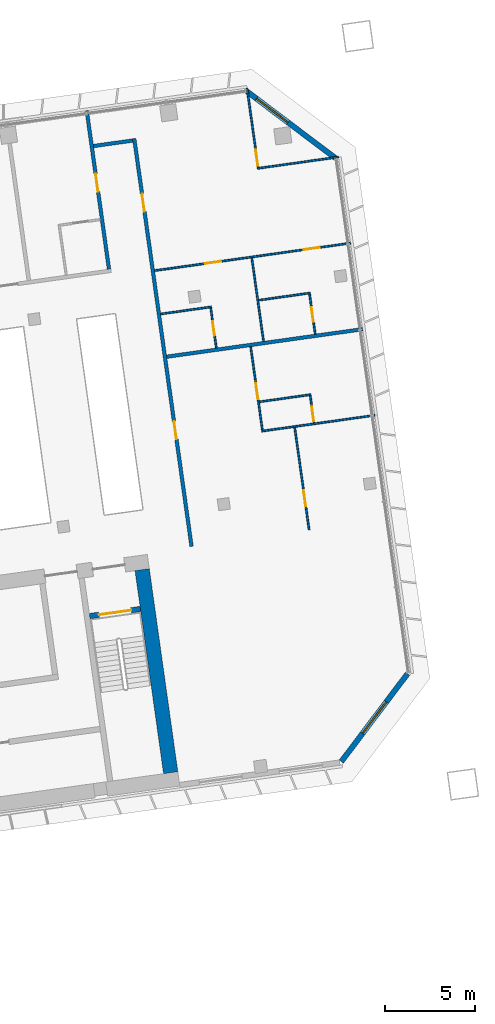
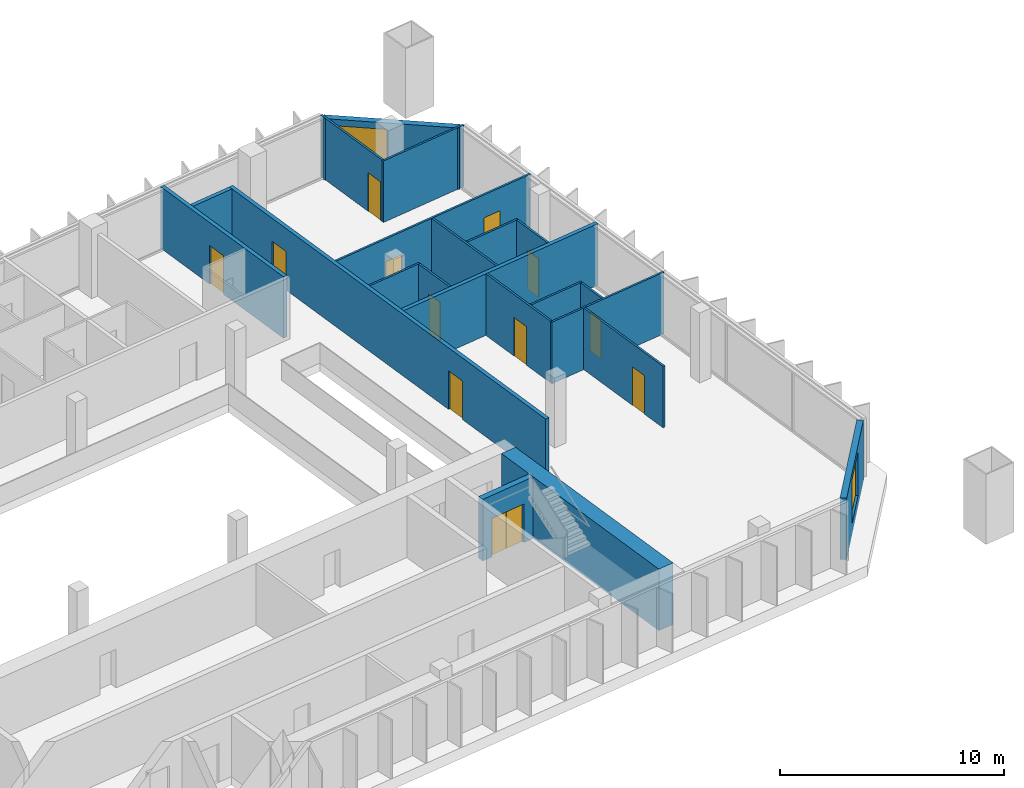
# One storey, part 23 of 27: 21 walls, 12 doors, 2 windows, 14 openings.
"""IFC4 building model written with IfcOpenShell, lengths in metres."""

from ifc_helpers import new_model, si_unit, direction, frame, frame_2d, origin, place, context, subcontext, project, spatial, rectangle, extrude, material, layer, layer_set, type_object, element, fill, save


model = new_model("IFC4")

# Units and contexts
model_context = context("Model", 3, precision=1e-05, world=origin(), true_north=direction((0.0, 1.0)))
body_context = subcontext(model_context, "Body", "Model", "MODEL_VIEW")
ifc_project = project(units=[si_unit("LENGTHUNIT", "METRE"), si_unit("AREAUNIT", "SQUARE_METRE"), si_unit("VOLUMEUNIT", "CUBIC_METRE"), si_unit("PLANEANGLEUNIT", "RADIAN"), si_unit("MASSUNIT", "GRAM", prefix="KILO")], contexts=[model_context])

# Site, building, storey
site_placement = place(None, origin())
site = spatial("IfcSite", under=ifc_project, at=site_placement, CompositionType="ELEMENT")
building_placement = place(site_placement, origin())
building = spatial("IfcBuilding", under=site, at=building_placement, Name="Mirante Cascada Hotel Towers", CompositionType="ELEMENT")
storey_placement = place(building_placement, frame((0.0, 0.0, 117.7)))
storey = spatial("IfcBuildingStorey", under=building, at=storey_placement, Name="L26", CompositionType="ELEMENT", Elevation=117.7)

# Walls
ifc_material_1 = material(Name="Fire-rated plasterboard on metal studs")
ifc_layer_1 = layer(ifc_material_1, 0.2)
ifc_layer_set_1 = layer_set([ifc_layer_1], Name="Compartment wall 200 EI 120")
wall_type_1 = type_object("IfcWallType", Name="Compartment wall 200 EI 120", PredefinedType="PARTITIONING", material=ifc_layer_set_1)
wall_1_placement = place(storey_placement, frame((89.7337, 11.2758, 0.0), z_axis=(0.0, 0.0, 1.0), x_axis=(0.990268, 0.1391733, 0.0)))
element("IfcWall", 1, at=wall_1_placement, inside=storey, type_object=wall_type_1, Name="Wall 2-L26-09", PredefinedType="PARTITIONING", context=body_context, shape_type="SweptSolid", body=[
    extrude(rectangle(XDim=11.0, YDim=0.2, at=frame_2d((5.5, 0.0))), origin(), (0.0, 0.0, 1.0), 3.35),
])
wall_2_placement = place(storey_placement, frame((87.8424, 23.2963, 0.0), z_axis=(0.0, 0.0, 1.0), x_axis=(-0.990267, -0.139181, 0.0)))
element("IfcWall", 2, at=wall_2_placement, inside=storey, type_object=wall_type_1, Name="Wall 2-L26-28", PredefinedType="PARTITIONING", context=body_context, shape_type="SweptSolid", body=[
    extrude(rectangle(XDim=2.2, YDim=0.2, at=frame_2d((1.1, 0.0))), origin(), (0.0, 0.0, 1.0), 3.35),
])

# Wall, opening, door
wall_3_placement = place(storey_placement, frame((86.525, 16.1433, 0.0), z_axis=(0.0, 0.0, 1.0), x_axis=(-0.1391684, 0.9902687, 0.0)))
wall_3 = element("IfcWall", 3, at=wall_3_placement, inside=storey, type_object=wall_type_1, Name="Wall 2-L26-55", PredefinedType="PARTITIONING", context=body_context, shape_type="SweptSolid", body=[
    extrude(rectangle(XDim=8.9, YDim=0.2, at=frame_2d((4.45, 0.0))), origin(), (0.0, 0.0, 1.0), 3.35),
])
opening_1_placement = place(wall_3_placement, frame((4.35, 0.0, 0.0)))
opening_1 = element("IfcOpeningElement", 4, at=opening_1_placement, cuts=wall_3, Name="Opening D2-L26-34", PredefinedType="OPENING", context=body_context, shape_type="SweptSolid", body=[
    extrude(rectangle(XDim=1.0, YDim=2.1, at=frame_2d((0.5, 1.05))), frame((0.0, 0.1, 0.0), z_axis=(0.0, -1.0, 0.0), x_axis=(1.0, 0.0, 0.0)), (0.0, 0.0, 1.0), 0.2),
])
ifc_material_2 = material(Name="Fire-rated timber door leaf", Category="wood")
door_type_1 = type_object("IfcDoorType", Name="Entrance door DG1 1000x2100 EI 60", OperationType="SINGLE_SWING_LEFT", PredefinedType="DOOR", material=ifc_material_2)
door_1_placement = place(opening_1_placement, origin())
door_1 = element("IfcDoor", 5, at=door_1_placement, inside=storey, type_object=door_type_1, Name="Door D2-L26-34", OperationType="SINGLE_SWING_LEFT", OverallHeight=2.1, OverallWidth=1.0, PredefinedType="DOOR", context=body_context, shape_type="SweptSolid", body=[
    extrude(rectangle(XDim=1.0, YDim=2.1, at=frame_2d((0.5, 1.05))), frame((0.0, 0.025, 0.0), z_axis=(0.0, -1.0, 0.0), x_axis=(1.0, 0.0, 0.0)), (0.0, 0.0, 1.0), 0.05),
])
fill(opening_1, door_1)

# Wall, openings, doors
wall_4_placement = place(storey_placement, frame((87.9275, 23.4092, 0.0), z_axis=(0.0, 0.0, 1.0), x_axis=(0.1391706, -0.9902684, 0.0)))
wall_4 = element("IfcWall", 6, at=wall_4_placement, inside=storey, type_object=wall_type_1, Name="Wall 2-L26-56", PredefinedType="PARTITIONING", context=body_context, shape_type="SweptSolid", body=[
    extrude(rectangle(XDim=22.9, YDim=0.2, at=frame_2d((11.45, 0.0))), origin(), (0.0, 0.0, 1.0), 3.35),
])
opening_2_placement = place(wall_4_placement, frame((15.8834, 0.0, 0.0)))
opening_2 = element("IfcOpeningElement", 7, at=opening_2_placement, cuts=wall_4, Name="Opening D2-L26-35", PredefinedType="OPENING", context=body_context, shape_type="SweptSolid", body=[
    extrude(rectangle(XDim=1.0, YDim=2.1, at=frame_2d((0.5, 1.05))), frame((0.0, 0.1, 0.0), z_axis=(0.0, -1.0, 0.0), x_axis=(1.0, 0.0, 0.0)), (0.0, 0.0, 1.0), 0.2),
])
opening_3_placement = place(wall_4_placement, frame((3.1, 0.0, 0.0)))
opening_3 = element("IfcOpeningElement", 8, at=opening_3_placement, cuts=wall_4, Name="Opening D2-L26-36", PredefinedType="OPENING", context=body_context, shape_type="SweptSolid", body=[
    extrude(rectangle(XDim=1.0, YDim=2.1, at=frame_2d((0.5, 1.05))), frame((0.0, 0.1, 0.0), z_axis=(0.0, -1.0, 0.0), x_axis=(1.0, 0.0, 0.0)), (0.0, 0.0, 1.0), 0.2),
])
door_2_placement = place(opening_2_placement, origin())
door_2 = element("IfcDoor", 9, at=door_2_placement, inside=storey, type_object=door_type_1, Name="Door D2-L26-35", OperationType="SINGLE_SWING_LEFT", OverallHeight=2.1, OverallWidth=1.0, PredefinedType="DOOR", context=body_context, shape_type="SweptSolid", body=[
    extrude(rectangle(XDim=1.0, YDim=2.1, at=frame_2d((0.5, 1.05))), frame((0.0, 0.025, 0.0), z_axis=(0.0, -1.0, 0.0), x_axis=(1.0, 0.0, 0.0)), (0.0, 0.0, 1.0), 0.05),
])
fill(opening_2, door_2)
door_3_placement = place(opening_3_placement, origin())
door_3 = element("IfcDoor", 10, at=door_3_placement, inside=storey, type_object=door_type_1, Name="Door D2-L26-36", OperationType="SINGLE_SWING_LEFT", OverallHeight=2.1, OverallWidth=1.0, PredefinedType="DOOR", context=body_context, shape_type="SweptSolid", body=[
    extrude(rectangle(XDim=1.0, YDim=2.1, at=frame_2d((0.5, 1.05))), frame((0.0, 0.025, 0.0), z_axis=(0.0, -1.0, 0.0), x_axis=(1.0, 0.0, 0.0)), (0.0, 0.0, 1.0), 0.05),
])
fill(opening_3, door_3)

# Walls
ifc_material_3 = material(Name="Plasterboard on metal studs")
ifc_layer_2 = layer(ifc_material_3, 0.1)
ifc_layer_set_2 = layer_set([ifc_layer_2], Name="Partition 100")
wall_type_2 = type_object("IfcWallType", Name="Partition 100", PredefinedType="PARTITIONING", material=ifc_layer_set_2)
wall_5_placement = place(storey_placement, frame((101.2993, 8.0205, 0.0), z_axis=(0.0, 0.0, 1.0), x_axis=(-0.990267, -0.139181, 0.0)))
element("IfcWall", 11, at=wall_5_placement, inside=storey, type_object=wall_type_2, Name="Wall 2-L26-04", PredefinedType="PARTITIONING", context=body_context, shape_type="SweptSolid", body=[
    extrude(rectangle(XDim=6.35, YDim=0.1, at=frame_2d((3.175, 0.0))), origin(), (0.0, 0.0, 1.0), 3.35),
])
wall_6_placement = place(storey_placement, frame((94.8828, 8.768, 0.0), z_axis=(0.0, 0.0, 1.0), x_axis=(0.9902683, 0.1391714, 0.0)))
element("IfcWall", 12, at=wall_6_placement, inside=storey, type_object=wall_type_2, Name="Wall 2-L26-05", PredefinedType="PARTITIONING", context=body_context, shape_type="SweptSolid", body=[
    extrude(rectangle(XDim=2.9, YDim=0.1, at=frame_2d((1.45, 0.0))), origin(), (0.0, 0.0, 1.0), 3.35),
])
wall_7_placement = place(storey_placement, frame((92.2219, 14.0491, 0.0), z_axis=(0.0, 0.0, 1.0), x_axis=(-0.9902697, -0.1391613, 0.0)))
element("IfcWall", 13, at=wall_7_placement, inside=storey, type_object=wall_type_2, Name="Wall 2-L26-12", PredefinedType="PARTITIONING", context=body_context, shape_type="SweptSolid", body=[
    extrude(rectangle(XDim=2.8499, YDim=0.1, at=frame_2d((1.425, 0.0))), origin(), (0.0, 0.0, 1.0), 3.35),
])
wall_8_placement = place(storey_placement, frame((94.8461, 14.4179, 0.0), z_axis=(0.0, 0.0, 1.0), x_axis=(0.9902683, 0.1391714, 0.0)))
element("IfcWall", 14, at=wall_8_placement, inside=storey, type_object=wall_type_2, Name="Wall 2-L26-13", PredefinedType="PARTITIONING", context=body_context, shape_type="SweptSolid", body=[
    extrude(rectangle(XDim=2.9, YDim=0.1, at=frame_2d((1.45, 0.0))), origin(), (0.0, 0.0, 1.0), 3.35),
])

# Wall, openings, doors
wall_9_placement = place(storey_placement, frame((89.061, 16.0622, 0.0), z_axis=(0.0, 0.0, 1.0), x_axis=(0.9902682, 0.1391721, 0.0)))
wall_9 = element("IfcWall", 15, at=wall_9_placement, inside=storey, type_object=wall_type_2, Name="Wall 2-L26-15", PredefinedType="PARTITIONING", context=body_context, shape_type="SweptSolid", body=[
    extrude(rectangle(XDim=11.0001, YDim=0.1, at=frame_2d((5.5, 0.0))), origin(), (0.0, 0.0, 1.0), 3.35),
])
opening_4_placement = place(wall_9_placement, frame((2.825, 0.0, 0.0)))
opening_4 = element("IfcOpeningElement", 16, at=opening_4_placement, cuts=wall_9, Name="Opening D2-L26-07", PredefinedType="OPENING", context=body_context, shape_type="SweptSolid", body=[
    extrude(rectangle(XDim=0.9, YDim=2.1, at=frame_2d((0.45, 1.05))), frame((0.0, 0.05, 0.0), z_axis=(0.0, -1.0, 0.0), x_axis=(1.0, 0.0, 0.0)), (0.0, 0.0, 1.0), 0.1),
])
opening_5_placement = place(wall_9_placement, frame((8.375, 0.0, 0.0)))
opening_5 = element("IfcOpeningElement", 17, at=opening_5_placement, cuts=wall_9, Name="Opening D2-L26-08", PredefinedType="OPENING", context=body_context, shape_type="SweptSolid", body=[
    extrude(rectangle(XDim=0.9, YDim=2.1, at=frame_2d((0.45, 1.05))), frame((0.0, 0.05, 0.0), z_axis=(0.0, -1.0, 0.0), x_axis=(1.0, 0.0, 0.0)), (0.0, 0.0, 1.0), 0.1),
])
ifc_material_4 = material(Name="Timber door leaf", Category="wood")
door_type_2 = type_object("IfcDoorType", Name="Room door DG3 900x2100", OperationType="SINGLE_SWING_LEFT", PredefinedType="DOOR", material=ifc_material_4)
door_4_placement = place(opening_4_placement, origin())
door_4 = element("IfcDoor", 18, at=door_4_placement, inside=storey, type_object=door_type_2, Name="Door D2-L26-07", OperationType="SINGLE_SWING_LEFT", OverallHeight=2.1, OverallWidth=0.9, PredefinedType="DOOR", context=body_context, shape_type="SweptSolid", body=[
    extrude(rectangle(XDim=0.9, YDim=2.1, at=frame_2d((0.45, 1.05))), frame((0.0, 0.025, 0.0), z_axis=(0.0, -1.0, 0.0), x_axis=(1.0, 0.0, 0.0)), (0.0, 0.0, 1.0), 0.05),
])
fill(opening_4, door_4)
door_5_placement = place(opening_5_placement, origin())
door_5 = element("IfcDoor", 19, at=door_5_placement, inside=storey, type_object=door_type_2, Name="Door D2-L26-08", OperationType="SINGLE_SWING_LEFT", OverallHeight=2.1, OverallWidth=0.9, PredefinedType="DOOR", context=body_context, shape_type="SweptSolid", body=[
    extrude(rectangle(XDim=0.9, YDim=2.1, at=frame_2d((0.45, 1.05))), frame((0.0, 0.025, 0.0), z_axis=(0.0, -1.0, 0.0), x_axis=(1.0, 0.0, 0.0)), (0.0, 0.0, 1.0), 0.05),
])
fill(opening_5, door_5)

# Wall
wall_10_placement = place(storey_placement, frame((99.2813, 22.3794, 0.0), z_axis=(0.0, 0.0, 1.0), x_axis=(-0.9902661, -0.1391871, 0.0)))
element("IfcWall", 20, at=wall_10_placement, inside=storey, type_object=wall_type_2, Name="Wall 2-L26-24", PredefinedType="PARTITIONING", context=body_context, shape_type="SweptSolid", body=[
    extrude(rectangle(XDim=4.55, YDim=0.1, at=frame_2d((2.275, 0.0))), origin(), (0.0, 0.0, 1.0), 3.35),
])

# Wall, opening, door
wall_11_placement = place(storey_placement, frame((92.4925, 11.7645, 0.0), z_axis=(0.0, 0.0, 1.0), x_axis=(-0.1391561, 0.9902705, 0.0)))
wall_11 = element("IfcWall", 21, at=wall_11_placement, inside=storey, type_object=wall_type_2, Name="Wall 2-L26-57", PredefinedType="PARTITIONING", context=body_context, shape_type="SweptSolid", body=[
    extrude(rectangle(XDim=2.25, YDim=0.1, at=frame_2d((1.125, 0.0))), origin(), (0.0, 0.0, 1.0), 3.35),
])
opening_6_placement = place(wall_11_placement, frame((0.7, 0.0, 0.0)))
opening_6 = element("IfcOpeningElement", 22, at=opening_6_placement, cuts=wall_11, Name="Opening D2-L26-37", PredefinedType="OPENING", context=body_context, shape_type="SweptSolid", body=[
    extrude(rectangle(XDim=0.8, YDim=2.1, at=frame_2d((0.4, 1.05))), frame((0.0, 0.05, 0.0), z_axis=(0.0, -1.0, 0.0), x_axis=(1.0, 0.0, 0.0)), (0.0, 0.0, 1.0), 0.1),
])
ifc_material_5 = material(Name="Timber door leaf", Category="wood")
door_type_3 = type_object("IfcDoorType", Name="Bathroom door DG4 800x2100", OperationType="SINGLE_SWING_LEFT", PredefinedType="DOOR", material=ifc_material_5)
door_6_placement = place(opening_6_placement, origin())
door_6 = element("IfcDoor", 23, at=door_6_placement, inside=storey, type_object=door_type_3, Name="Door D2-L26-37", OperationType="SINGLE_SWING_LEFT", OverallHeight=2.1, OverallWidth=0.8, PredefinedType="DOOR", context=body_context, shape_type="SweptSolid", body=[
    extrude(rectangle(XDim=0.8, YDim=2.1, at=frame_2d((0.4, 1.05))), frame((0.0, 0.025, 0.0), z_axis=(0.0, -1.0, 0.0), x_axis=(1.0, 0.0, 0.0)), (0.0, 0.0, 1.0), 0.05),
])
fill(opening_6, door_6)

wall_12_placement = place(storey_placement, frame((94.4019, 11.8309, 0.0), z_axis=(0.0, 0.0, 1.0), x_axis=(0.139176, -0.9902677, 0.0)))
wall_12 = element("IfcWall", 24, at=wall_12_placement, inside=storey, type_object=wall_type_2, Name="Wall 2-L26-58", PredefinedType="PARTITIONING", context=body_context, shape_type="SweptSolid", body=[
    extrude(rectangle(XDim=4.6833, YDim=0.1, at=frame_2d((2.3416, 0.0))), origin(), (0.0, 0.0, 1.0), 3.35),
])
opening_7_placement = place(wall_12_placement, frame((2.05, 0.0, 0.0)))
opening_7 = element("IfcOpeningElement", 25, at=opening_7_placement, cuts=wall_12, Name="Opening D2-L26-38", PredefinedType="OPENING", context=body_context, shape_type="SweptSolid", body=[
    extrude(rectangle(XDim=0.9, YDim=2.1, at=frame_2d((0.45, 1.05))), frame((0.0, 0.05, 0.0), z_axis=(0.0, -1.0, 0.0), x_axis=(1.0, 0.0, 0.0)), (0.0, 0.0, 1.0), 0.1),
])
door_7_placement = place(opening_7_placement, frame((0.9, 0.0, 0.0), z_axis=(0.0, 0.0, 1.0), x_axis=(-1.0, 0.0, 0.0)))
door_7 = element("IfcDoor", 26, at=door_7_placement, inside=storey, type_object=door_type_2, Name="Door D2-L26-38", OperationType="SINGLE_SWING_RIGHT", OverallHeight=2.1, OverallWidth=0.9, PredefinedType="DOOR", context=body_context, shape_type="SweptSolid", body=[
    extrude(rectangle(XDim=0.9, YDim=2.1, at=frame_2d((0.45, 1.05))), frame((0.0, 0.025, 0.0), z_axis=(0.0, -1.0, 0.0), x_axis=(1.0, 0.0, 0.0)), (0.0, 0.0, 1.0), 0.05),
])
fill(opening_7, door_7)

# Wall
wall_13_placement = place(storey_placement, frame((95.1167, 12.1333, 0.0), z_axis=(0.0, 0.0, 1.0), x_axis=(-0.1391701, 0.9902685, 0.0)))
element("IfcWall", 27, at=wall_13_placement, inside=storey, type_object=wall_type_2, Name="Wall 2-L26-59", PredefinedType="PARTITIONING", context=body_context, shape_type="SweptSolid", body=[
    extrude(rectangle(XDim=4.6835, YDim=0.1, at=frame_2d((2.3418, 0.0))), origin(), (0.0, 0.0, 1.0), 3.35),
])

# Wall, opening, door
wall_14_placement = place(storey_placement, frame((96.8501, 7.3447, 0.0), z_axis=(0.0, 0.0, 1.0), x_axis=(0.139164, -0.9902694, 0.0)))
wall_14 = element("IfcWall", 28, at=wall_14_placement, inside=storey, type_object=wall_type_2, Name="Wall 2-L26-60", PredefinedType="PARTITIONING", context=body_context, shape_type="SweptSolid", body=[
    extrude(rectangle(XDim=5.7501, YDim=0.1, at=frame_2d((2.875, 0.0))), origin(), (0.0, 0.0, 1.0), 3.35),
])
opening_8_placement = place(wall_14_placement, frame((3.5167, 0.0, 0.0)))
opening_8 = element("IfcOpeningElement", 29, at=opening_8_placement, cuts=wall_14, Name="Opening D2-L26-39", PredefinedType="OPENING", context=body_context, shape_type="SweptSolid", body=[
    extrude(rectangle(XDim=0.9, YDim=2.1, at=frame_2d((0.45, 1.05))), frame((0.0, 0.05, 0.0), z_axis=(0.0, -1.0, 0.0), x_axis=(1.0, 0.0, 0.0)), (0.0, 0.0, 1.0), 0.1),
])
door_8_placement = place(opening_8_placement, frame((0.9, 0.0, 0.0), z_axis=(0.0, 0.0, 1.0), x_axis=(-1.0, 0.0, 0.0)))
door_8 = element("IfcDoor", 30, at=door_8_placement, inside=storey, type_object=door_type_2, Name="Door D2-L26-39", OperationType="SINGLE_SWING_RIGHT", OverallHeight=2.1, OverallWidth=0.9, PredefinedType="DOOR", context=body_context, shape_type="SweptSolid", body=[
    extrude(rectangle(XDim=0.9, YDim=2.1, at=frame_2d((0.45, 1.05))), frame((0.0, 0.025, 0.0), z_axis=(0.0, -1.0, 0.0), x_axis=(1.0, 0.0, 0.0)), (0.0, 0.0, 1.0), 0.05),
])
fill(opening_8, door_8)

wall_15_placement = place(storey_placement, frame((94.8181, 21.8026, 0.0), z_axis=(0.0, 0.0, 1.0), x_axis=(-0.1391684, 0.9902687, 0.0)))
wall_15 = element("IfcWall", 31, at=wall_15_placement, inside=storey, type_object=wall_type_2, Name="Wall 2-L26-61", PredefinedType="PARTITIONING", context=body_context, shape_type="SweptSolid", body=[
    extrude(rectangle(XDim=4.45, YDim=0.1, at=frame_2d((2.225, 0.0))), origin(), (0.0, 0.0, 1.0), 3.35),
])
opening_9_placement = place(wall_15_placement, frame((0.1, 0.0, 0.0)))
opening_9 = element("IfcOpeningElement", 32, at=opening_9_placement, cuts=wall_15, Name="Opening D2-L26-40", PredefinedType="OPENING", context=body_context, shape_type="SweptSolid", body=[
    extrude(rectangle(XDim=0.9, YDim=2.1, at=frame_2d((0.45, 1.05))), frame((0.0, 0.05, 0.0), z_axis=(0.0, -1.0, 0.0), x_axis=(1.0, 0.0, 0.0)), (0.0, 0.0, 1.0), 0.1),
])
door_9_placement = place(opening_9_placement, origin())
door_9 = element("IfcDoor", 33, at=door_9_placement, inside=storey, type_object=door_type_2, Name="Door D2-L26-40", OperationType="SINGLE_SWING_LEFT", OverallHeight=2.1, OverallWidth=0.9, PredefinedType="DOOR", context=body_context, shape_type="SweptSolid", body=[
    extrude(rectangle(XDim=0.9, YDim=2.1, at=frame_2d((0.45, 1.05))), frame((0.0, 0.025, 0.0), z_axis=(0.0, -1.0, 0.0), x_axis=(1.0, 0.0, 0.0)), (0.0, 0.0, 1.0), 0.05),
])
fill(opening_9, door_9)

wall_16_placement = place(storey_placement, frame((97.712, 9.1152, 0.0), z_axis=(0.0, 0.0, 1.0), x_axis=(0.1391749, -0.9902678, 0.0)))
wall_16 = element("IfcWall", 34, at=wall_16_placement, inside=storey, type_object=wall_type_2, Name="Wall 2-L26-62", PredefinedType="PARTITIONING", context=body_context, shape_type="SweptSolid", body=[
    extrude(rectangle(XDim=1.5333, YDim=0.1, at=frame_2d((0.7667, 0.0))), origin(), (0.0, 0.0, 1.0), 3.35),
])
opening_10_placement = place(wall_16_placement, frame((0.6333, 0.0, 0.0)))
opening_10 = element("IfcOpeningElement", 35, at=opening_10_placement, cuts=wall_16, Name="Opening D2-L26-41", PredefinedType="OPENING", context=body_context, shape_type="SweptSolid", body=[
    extrude(rectangle(XDim=0.8, YDim=2.1, at=frame_2d((0.4, 1.05))), frame((0.0, 0.05, 0.0), z_axis=(0.0, -1.0, 0.0), x_axis=(1.0, 0.0, 0.0)), (0.0, 0.0, 1.0), 0.1),
])
door_10_placement = place(opening_10_placement, origin())
door_10 = element("IfcDoor", 36, at=door_10_placement, inside=storey, type_object=door_type_3, Name="Door D2-L26-41", OperationType="SINGLE_SWING_LEFT", OverallHeight=2.1, OverallWidth=0.8, PredefinedType="DOOR", context=body_context, shape_type="SweptSolid", body=[
    extrude(rectangle(XDim=0.8, YDim=2.1, at=frame_2d((0.4, 1.05))), frame((0.0, 0.025, 0.0), z_axis=(0.0, -1.0, 0.0), x_axis=(1.0, 0.0, 0.0)), (0.0, 0.0, 1.0), 0.05),
])
fill(opening_10, door_10)

wall_17_placement = place(storey_placement, frame((97.9885, 12.5369, 0.0), z_axis=(0.0, 0.0, 1.0), x_axis=(-0.1391561, 0.9902705, 0.0)))
wall_17 = element("IfcWall", 37, at=wall_17_placement, inside=storey, type_object=wall_type_2, Name="Wall 2-L26-63", PredefinedType="PARTITIONING", context=body_context, shape_type="SweptSolid", body=[
    extrude(rectangle(XDim=2.25, YDim=0.1, at=frame_2d((1.125, 0.0))), origin(), (0.0, 0.0, 1.0), 3.35),
])
opening_11_placement = place(wall_17_placement, frame((0.7, 0.0, 0.0)))
opening_11 = element("IfcOpeningElement", 38, at=opening_11_placement, cuts=wall_17, Name="Opening D2-L26-42", PredefinedType="OPENING", context=body_context, shape_type="SweptSolid", body=[
    extrude(rectangle(XDim=0.8, YDim=2.1, at=frame_2d((0.4, 1.05))), frame((0.0, 0.05, 0.0), z_axis=(0.0, -1.0, 0.0), x_axis=(1.0, 0.0, 0.0)), (0.0, 0.0, 1.0), 0.1),
])
door_11_placement = place(opening_11_placement, origin())
door_11 = element("IfcDoor", 39, at=door_11_placement, inside=storey, type_object=door_type_3, Name="Door D2-L26-42", OperationType="SINGLE_SWING_LEFT", OverallHeight=2.1, OverallWidth=0.8, PredefinedType="DOOR", context=body_context, shape_type="SweptSolid", body=[
    extrude(rectangle(XDim=0.8, YDim=2.1, at=frame_2d((0.4, 1.05))), frame((0.0, 0.025, 0.0), z_axis=(0.0, -1.0, 0.0), x_axis=(1.0, 0.0, 0.0)), (0.0, 0.0, 1.0), 0.05),
])
fill(opening_11, door_11)

# Wall, opening, window
ifc_material_6 = material(Name="Precast concrete C40/50", Category="concrete")
ifc_layer_3 = layer(ifc_material_6, 0.3)
ifc_layer_set_3 = layer_set([ifc_layer_3], Name="Precast concrete C40/50 cladding wall 300")
wall_type_3 = type_object("IfcWallType", Name="Precast concrete C40/50 cladding wall 300", PredefinedType="STANDARD", material=ifc_layer_set_3)
wall_18_placement = place(storey_placement, frame((99.4424, -11.2313, 0.0), z_axis=(0.0, 0.0, 1.0), x_axis=(0.6018194, 0.7986322, 0.0)))
wall_18 = element("IfcWall", 40, at=wall_18_placement, inside=storey, type_object=wall_type_3, Name="Corner cladding wall T2 L26 rear outer", PredefinedType="STANDARD", context=body_context, shape_type="SweptSolid", body=[
    extrude(rectangle(XDim=6.1155, YDim=0.3, at=frame_2d((3.0578, 0.0))), origin(), (0.0, 0.0, 1.0), 3.35),
])
opening_12_placement = place(wall_18_placement, frame((1.9576, 0.0, 0.6)))
opening_12 = element("IfcOpeningElement", 41, at=opening_12_placement, cuts=wall_18, Name="Opening W2-26-03", PredefinedType="OPENING", context=body_context, shape_type="SweptSolid", body=[
    extrude(rectangle(XDim=2.2, YDim=2.4, at=frame_2d((1.1, 1.2))), frame((0.0, 0.15, 0.0), z_axis=(0.0, -1.0, 0.0), x_axis=(1.0, 0.0, 0.0)), (0.0, 0.0, 1.0), 0.3),
])
ifc_material_7 = material(Name="Aluminium frame with clear double glazing", Category="aluminium")
window_type = type_object("IfcWindowType", Name="Corner suite window 2200x2400", PartitioningType="DOUBLE_PANEL_VERTICAL", PredefinedType="WINDOW", material=ifc_material_7)
window_1_placement = place(opening_12_placement, origin())
window_1 = element("IfcWindow", 42, at=window_1_placement, inside=storey, type_object=window_type, Name="Window W2-26-03", OverallHeight=2.4, OverallWidth=2.2, PartitioningType="SINGLE_PANEL", PredefinedType="WINDOW", context=body_context, shape_type="SweptSolid", body=[
    extrude(rectangle(XDim=2.2, YDim=2.4, at=frame_2d((1.1, 1.2))), frame((0.0, 0.03, 0.0), z_axis=(0.0, -1.0, 0.0), x_axis=(1.0, 0.0, 0.0)), (0.0, 0.0, 1.0), 0.06),
])
fill(opening_12, window_1)

wall_19_placement = place(storey_placement, frame((99.0919, 22.3343, 0.0), z_axis=(0.0, 0.0, 1.0), x_axis=(-0.7986362, 0.6018141, 0.0)))
wall_19 = element("IfcWall", 43, at=wall_19_placement, inside=storey, type_object=wall_type_3, Name="Corner cladding wall T2 L26 outer front", PredefinedType="STANDARD", context=body_context, shape_type="SweptSolid", body=[
    extrude(rectangle(XDim=6.1157, YDim=0.3, at=frame_2d((3.0578, 0.0))), origin(), (0.0, 0.0, 1.0), 3.35),
])
opening_13_placement = place(wall_19_placement, frame((3.2692, 0.0, 0.6)))
opening_13 = element("IfcOpeningElement", 44, at=opening_13_placement, cuts=wall_19, Name="Opening W2-26-04", PredefinedType="OPENING", context=body_context, shape_type="SweptSolid", body=[
    extrude(rectangle(XDim=2.2, YDim=2.4, at=frame_2d((1.1, 1.2))), frame((0.0, 0.15, 0.0), z_axis=(0.0, -1.0, 0.0), x_axis=(1.0, 0.0, 0.0)), (0.0, 0.0, 1.0), 0.3),
])
window_2_placement = place(opening_13_placement, origin())
window_2 = element("IfcWindow", 45, at=window_2_placement, inside=storey, type_object=window_type, Name="Window W2-26-04", OverallHeight=2.4, OverallWidth=2.2, PartitioningType="SINGLE_PANEL", PredefinedType="WINDOW", context=body_context, shape_type="SweptSolid", body=[
    extrude(rectangle(XDim=2.2, YDim=2.4, at=frame_2d((1.1, 1.2))), frame((0.0, 0.03, 0.0), z_axis=(0.0, -1.0, 0.0), x_axis=(1.0, 0.0, 0.0)), (0.0, 0.0, 1.0), 0.06),
])
fill(opening_13, window_2)

# Wall, opening, door
ifc_material_8 = material(Name="Concrete C50/60", Category="concrete")
ifc_layer_4 = layer(ifc_material_8, 0.3)
ifc_layer_set_4 = layer_set([ifc_layer_4], Name="RC core wall 300 C50/60")
wall_type_4 = type_object("IfcWallType", Name="RC core wall 300 C50/60", PredefinedType="SHEAR", material=ifc_layer_set_4)
wall_20_placement = place(storey_placement, frame((85.4489, -3.1441, 0.0), z_axis=(0.0, 0.0, 1.0), x_axis=(0.9902697, 0.1391613, 0.0)))
wall_20 = element("IfcWall", 46, at=wall_20_placement, inside=storey, type_object=wall_type_4, Name="Core wall T2:L26:11", PredefinedType="SHEAR", context=body_context, shape_type="SweptSolid", body=[
    extrude(rectangle(XDim=2.8499, YDim=0.3, at=frame_2d((1.425, 0.0))), origin(), (0.0, 0.0, 1.0), 3.35),
])
opening_14_placement = place(wall_20_placement, frame((0.525, 0.0, 0.0)))
opening_14 = element("IfcOpeningElement", 47, at=opening_14_placement, cuts=wall_20, Name="Opening D2-26-C17", PredefinedType="OPENING", context=body_context, shape_type="SweptSolid", body=[
    extrude(rectangle(XDim=1.8, YDim=2.1, at=frame_2d((0.9, 1.05))), frame((0.0, 0.15, 0.0), z_axis=(0.0, -1.0, 0.0), x_axis=(1.0, 0.0, 0.0)), (0.0, 0.0, 1.0), 0.3),
])
ifc_material_9 = material(Name="Hollow metal fire door leaf")
door_type_4 = type_object("IfcDoorType", Name="Double fire door 1800x2100 FD60", OperationType="DOUBLE_DOOR_SINGLE_SWING", PredefinedType="DOOR", material=ifc_material_9)
door_12_placement = place(opening_14_placement, frame((1.8, 0.0, 0.0), z_axis=(0.0, 0.0, 1.0), x_axis=(-1.0, 0.0, 0.0)))
door_12 = element("IfcDoor", 48, at=door_12_placement, inside=storey, type_object=door_type_4, Name="Stair door T2 L26 17", OperationType="DOUBLE_DOOR_SINGLE_SWING", OverallHeight=2.1, OverallWidth=1.8, PredefinedType="DOOR", context=body_context, shape_type="SweptSolid", body=[
    extrude(rectangle(XDim=0.895, YDim=2.1, at=frame_2d((0.4475, 1.05))), frame((0.0, 0.025, 0.0), z_axis=(0.0, -1.0, 0.0), x_axis=(1.0, 0.0, 0.0)), (0.0, 0.0, 1.0), 0.05),
    extrude(rectangle(XDim=0.895, YDim=2.1, at=frame_2d((1.3525, 1.05))), frame((0.0, 0.025, 0.0), z_axis=(0.0, -1.0, 0.0), x_axis=(1.0, 0.0, 0.0)), (0.0, 0.0, 1.0), 0.05),
])
fill(opening_14, door_12)

# Wall
ifc_material_10 = material(Name="Concrete C50/60", Category="concrete")
ifc_layer_5 = layer(ifc_material_10, 0.8)
ifc_layer_set_5 = layer_set([ifc_layer_5], Name="RC core wall 800 C50/60")
wall_type_5 = type_object("IfcWallType", Name="RC core wall 800 C50/60", PredefinedType="SHEAR", material=ifc_layer_set_5)
wall_21_placement = place(storey_placement, frame((89.9546, -11.8518, 0.0), z_axis=(0.0, 0.0, 1.0), x_axis=(-0.1391761, 0.9902677, 0.0)))
element("IfcWall", 49, at=wall_21_placement, inside=storey, type_object=wall_type_5, Name="Core wall T2:L26:4", PredefinedType="SHEAR", context=body_context, shape_type="SweptSolid", body=[
    extrude(rectangle(XDim=11.3999, YDim=0.8, at=frame_2d((5.7, 0.0))), origin(), (0.0, 0.0, 1.0), 3.35),
])

save(model, "model.ifc")
